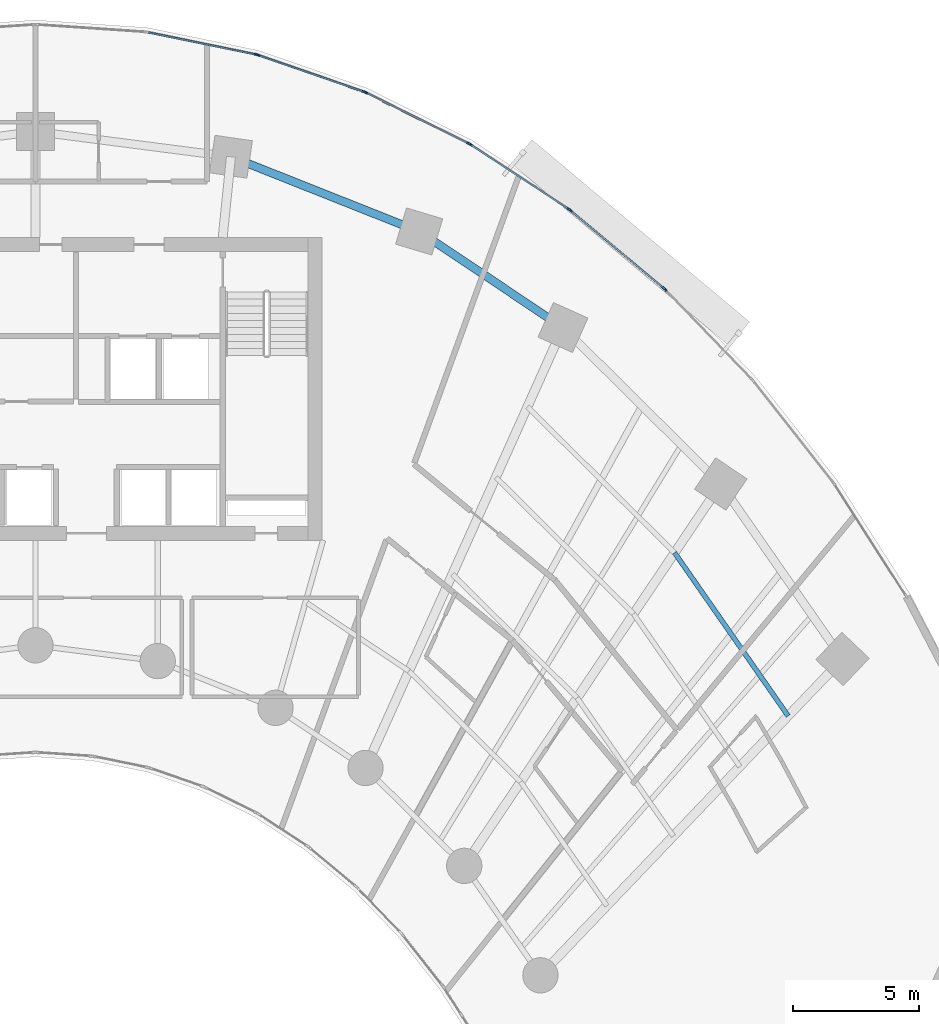
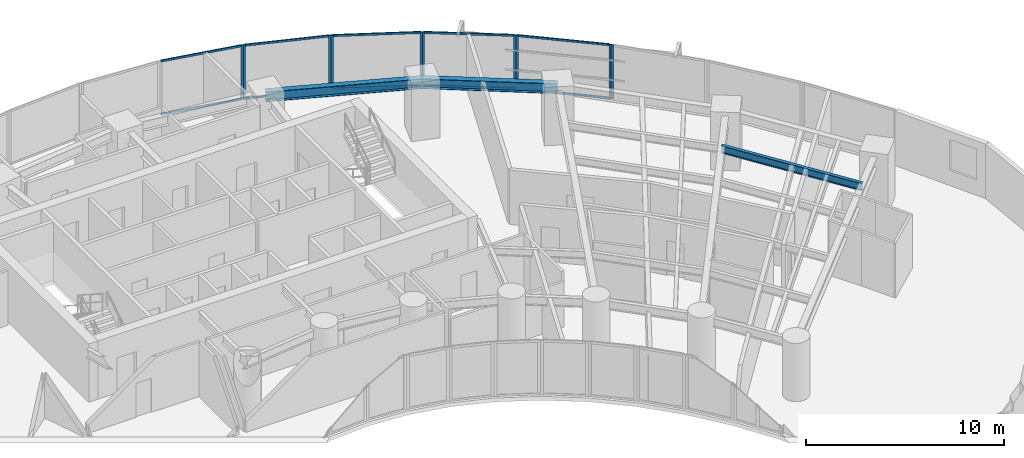
# One storey, part 7 of 17: 20 members, 3 beams, 6 elements without a shape of their own.
"""IFC4 building model written with IfcOpenShell, lengths in metres."""

from ifc_helpers import new_model, si_unit, direction, frame, origin, origin_2d, place, context, subcontext, project, spatial, rectangle, i_section, extrude, source, transform, mapped, material, layer, layer_set, material_profile, profile_set, type_object, type_shapes, element, aggregate, save


model = new_model("IFC4")

# Units and contexts
model_context = context("Model", 3, precision=1e-05, world=origin(), true_north=direction((0.0, 1.0)))
body_context = subcontext(model_context, "Body", "Model", "MODEL_VIEW")
ifc_project = project(units=[si_unit("LENGTHUNIT", "METRE"), si_unit("AREAUNIT", "SQUARE_METRE"), si_unit("VOLUMEUNIT", "CUBIC_METRE"), si_unit("PLANEANGLEUNIT", "RADIAN"), si_unit("MASSUNIT", "GRAM", prefix="KILO")], contexts=[model_context])

# Site, building, storey
site_placement = place(None, origin())
site = spatial("IfcSite", under=ifc_project, at=site_placement, CompositionType="ELEMENT")
building_placement = place(site_placement, origin())
building = spatial("IfcBuilding", under=site, at=building_placement, Name="Breltana Convention Tower", CompositionType="ELEMENT")
storey_placement = place(building_placement, frame((0.0, 0.0, 71.39990234375)))
storey = spatial("IfcBuildingStorey", under=building, at=storey_placement, Name="L16", CompositionType="ELEMENT", Elevation=71.39990234375)

# Beams
ifc_material_1 = material(Name="Steel ASTM A992 Grade 50", Category="steel")
ifc_material_profile_1 = material_profile(ifc_material_1, i_section(OverallWidth=0.323974609375, OverallDepth=0.611083984375, WebThickness=0.0126953125, FlangeThickness=0.01904296875, at=origin_2d()), Name="W24X104")
ifc_profile_set_1 = profile_set([ifc_material_profile_1], Name="Steel ASTM A992 Grade 50")
beam_type_1 = type_object("IfcBeamType", Name="BM-SP-W24X104", PredefinedType="SPANDREL", material=ifc_profile_set_1)
shared_shape_1 = source(origin(), body_context, "Body", "SweptSolid", [
    extrude(i_section(OverallWidth=0.323974609375, OverallDepth=0.611083984375, WebThickness=0.0126953125, FlangeThickness=0.01904296875, at=origin_2d()), origin(), (0.0, 0.0, 1.0), 8.028564453125),
])
beam_1_placement = place(storey_placement, frame((55.746826171875, 75.404296875, 3.0546875), z_axis=(0.929459100394, -0.368925169507, 0.0), x_axis=(0.368925169507, 0.929459100394, 0.0)))
element("IfcBeam", 1, at=beam_1_placement, inside=storey, type_object=beam_type_1, Name="L16 Outer Spandrel Beam 07", PredefinedType="SPANDREL", context=body_context, shape_type="MappedRepresentation", body=[
    mapped(shared_shape_1, transform((0.0, 0.0, 0.0), scale=1.0)),
])
shared_shape_2 = source(origin(), body_context, "Body", "SweptSolid", [
    extrude(i_section(OverallWidth=0.323974609375, OverallDepth=0.611083984375, WebThickness=0.0126953125, FlangeThickness=0.01904296875, at=origin_2d()), origin(), (0.0, 0.0, 1.0), 6.856689453125),
])
beam_2_placement = place(storey_placement, frame((63.208984375, 72.4423828125, 3.0546875), z_axis=(0.83150210718, -0.55552159792, 0.0), x_axis=(0.55552159792, 0.83150210718, 0.0)))
element("IfcBeam", 2, at=beam_2_placement, inside=storey, type_object=beam_type_1, Name="L16 Outer Spandrel Beam 08", PredefinedType="SPANDREL", context=body_context, shape_type="MappedRepresentation", body=[
    mapped(shared_shape_2, transform((0.0, 0.0, 0.0), scale=1.0)),
])
ifc_material_profile_2 = material_profile(ifc_material_1, i_section(OverallWidth=0.19091796875, OverallDepth=0.4599609375, WebThickness=0.010009765625, FlangeThickness=0.01611328125, at=origin_2d()), Name="W18X55")
ifc_profile_set_2 = profile_set([ifc_material_profile_2], Name="Steel ASTM A992 Grade 50")
beam_type_2 = type_object("IfcBeamType", Name="BM-JSG-07", PredefinedType="JOIST", material=ifc_profile_set_2)
shared_shape_3 = source(origin(), body_context, "Body", "SweptSolid", [
    extrude(i_section(OverallWidth=0.19091796875, OverallDepth=0.4599609375, WebThickness=0.010009765625, FlangeThickness=0.01611328125, at=origin_2d()), origin(), (0.0, 0.0, 1.0), 7.88037109375),
])
beam_3_placement = place(storey_placement, frame((73.3359375, 59.70556640625, 3.130126953125), z_axis=(0.571197916304, -0.820812366141, 0.0), x_axis=(0.820812366141, 0.571197916304, 0.0)))
element("IfcBeam", 3, at=beam_3_placement, inside=storey, type_object=beam_type_2, Name="L16 Composite Floor Joist 10.4", PredefinedType="JOIST", context=body_context, shape_type="MappedRepresentation", body=[
    mapped(shared_shape_3, transform((0.0, 0.0, 0.0), scale=1.0)),
])

# Curtain wall, member
ifc_material_2 = material(Name="Aluminium Anodised Bronze Frame", Category="aluminium")
ifc_layer = layer(ifc_material_2, 0.199951171875, Name="Aluminium Anodised Bronze Frame")
ifc_layer_set = layer_set([ifc_layer], Name="Aluminium Anodised Bronze Frame")
curtain_wall_type = type_object("IfcCurtainWallType", Name="CW-SYS-2", PredefinedType="NOTDEFINED", material=ifc_layer_set)
curtain_wall_1_placement = place(storey_placement, origin())
curtain_wall_1 = element("IfcCurtainWall", 4, at=curtain_wall_1_placement, inside=storey, type_object=curtain_wall_type, Name="L16 outer double-skin inner glazing 11", PredefinedType="NOTDEFINED")
ifc_material_3 = material(Name="Aluminium Anodised Bronze", Category="aluminium")
ifc_material_profile_3 = material_profile(ifc_material_3, rectangle(XDim=0.070068359375, YDim=0.175048828125, at=origin_2d()), Name="CWM-70X175")
ifc_profile_set_3 = profile_set([ifc_material_profile_3], Name="Aluminium Anodised Bronze")
member_type_1 = type_object("IfcMemberType", Name="CWM-175", PredefinedType="MULLION", material=ifc_profile_set_3)
shared_shape_4 = source(origin(), body_context, "Body", "SweptSolid", [
    extrude(rectangle(XDim=0.070068359375, YDim=0.175048828125, at=origin_2d()), origin(), (0.0, 0.0, 1.0), 3.360107421875),
])
type_shapes(member_type_1, [shared_shape_4])
member_1_placement = place(storey_placement, frame((56.7451171875, 79.45751953125, 0.0), z_axis=(0.0, 0.0, 1.0), x_axis=(0.200884537139, 0.979614925743, 0.0)))
member_1 = element("IfcMember", 5, at=member_1_placement, type_object=member_type_1, Name="CW-02 mullion 2", PredefinedType="MULLION", context=body_context, shape_type="MappedRepresentation", body=[
    mapped(shared_shape_4, transform((0.0, 0.0, 0.0), scale=1.0)),
])

# Curtain wall, members
curtain_wall_2_placement = place(storey_placement, origin())
curtain_wall_2 = element("IfcCurtainWall", 6, at=curtain_wall_2_placement, inside=storey, type_object=curtain_wall_type, Name="L16 outer double-skin inner glazing 12", PredefinedType="NOTDEFINED")
member_2_placement = place(storey_placement, frame((56.8125, 79.43896484375, 0.0), z_axis=(0.0, 0.0, 1.0), x_axis=(0.32742834581, 0.944876012163, 0.0)))
member_2 = element("IfcMember", 7, at=member_2_placement, type_object=member_type_1, Name="CW-02 mullion 1", PredefinedType="MULLION", context=body_context, shape_type="MappedRepresentation", body=[
    mapped(shared_shape_4, transform((0.0, 0.0, 0.0), scale=1.0)),
])
member_3_placement = place(storey_placement, frame((61.025146484375, 77.979248046875, 0.0), z_axis=(0.0, 0.0, 1.0), x_axis=(0.32742834581, 0.944876012163, 0.0)))
member_3 = element("IfcMember", 8, at=member_3_placement, type_object=member_type_1, Name="CW-02 mullion 2", PredefinedType="MULLION", context=body_context, shape_type="MappedRepresentation", body=[
    mapped(shared_shape_4, transform((0.0, 0.0, 0.0), scale=1.0)),
])

curtain_wall_3_placement = place(storey_placement, origin())
curtain_wall_3 = element("IfcCurtainWall", 9, at=curtain_wall_3_placement, inside=storey, type_object=curtain_wall_type, Name="L16 outer double-skin inner glazing 13", PredefinedType="NOTDEFINED")
member_4_placement = place(storey_placement, frame((61.089599609375, 77.9521484375, 0.0), z_axis=(0.0, 0.0, 1.0), x_axis=(0.444107703726, 0.895973407804, 0.0)))
member_4 = element("IfcMember", 10, at=member_4_placement, type_object=member_type_1, Name="CW-02 mullion 1", PredefinedType="MULLION", context=body_context, shape_type="MappedRepresentation", body=[
    mapped(shared_shape_4, transform((0.0, 0.0, 0.0), scale=1.0)),
])
member_5_placement = place(storey_placement, frame((65.1728515625, 75.92822265625, 0.0), z_axis=(0.0, 0.0, 1.0), x_axis=(0.444107703726, 0.895973407804, 0.0)))
member_5 = element("IfcMember", 11, at=member_5_placement, type_object=member_type_1, Name="CW-02 mullion 2", PredefinedType="MULLION", context=body_context, shape_type="MappedRepresentation", body=[
    mapped(shared_shape_4, transform((0.0, 0.0, 0.0), scale=1.0)),
])

curtain_wall_4_placement = place(storey_placement, origin())
curtain_wall_4 = element("IfcCurtainWall", 12, at=curtain_wall_4_placement, inside=storey, type_object=curtain_wall_type, Name="L16 outer double-skin inner glazing 14", PredefinedType="NOTDEFINED")
member_6_placement = place(storey_placement, frame((65.233642578125, 75.8935546875, 0.0), z_axis=(0.0, 0.0, 1.0), x_axis=(0.548784255746, 0.83596401875, 0.0)))
member_6 = element("IfcMember", 13, at=member_6_placement, type_object=member_type_1, Name="CW-02 mullion 1", PredefinedType="MULLION", context=body_context, shape_type="MappedRepresentation", body=[
    mapped(shared_shape_4, transform((0.0, 0.0, 0.0), scale=1.0)),
])
member_7_placement = place(storey_placement, frame((69.146484375, 73.32470703125, 0.0), z_axis=(0.0, 0.0, 1.0), x_axis=(0.548784255746, 0.83596401875, 0.0)))
member_7 = element("IfcMember", 14, at=member_7_placement, type_object=member_type_1, Name="CW-02 mullion 2", PredefinedType="MULLION", context=body_context, shape_type="MappedRepresentation", body=[
    mapped(shared_shape_4, transform((0.0, 0.0, 0.0), scale=1.0)),
])

curtain_wall_5_placement = place(storey_placement, origin())
curtain_wall_5 = element("IfcCurtainWall", 15, at=curtain_wall_5_placement, inside=storey, type_object=curtain_wall_type, Name="L16 outer double-skin inner glazing 15", PredefinedType="NOTDEFINED")
member_8_placement = place(storey_placement, frame((69.20263671875, 73.283203125, 0.0), z_axis=(0.0, 0.0, 1.0), x_axis=(0.640520193554, 0.767941326958, 0.0)))
member_8 = element("IfcMember", 16, at=member_8_placement, type_object=member_type_1, Name="CW-02 mullion 1", PredefinedType="MULLION", context=body_context, shape_type="MappedRepresentation", body=[
    mapped(shared_shape_4, transform((0.0, 0.0, 0.0), scale=1.0)),
])
member_9_placement = place(storey_placement, frame((72.90478515625, 70.1953125, 0.0), z_axis=(0.0, 0.0, 1.0), x_axis=(0.640520193554, 0.767941326958, 0.0)))
member_9 = element("IfcMember", 17, at=member_9_placement, type_object=member_type_1, Name="CW-02 mullion 2", PredefinedType="MULLION", context=body_context, shape_type="MappedRepresentation", body=[
    mapped(shared_shape_4, transform((0.0, 0.0, 0.0), scale=1.0)),
])

# Curtain wall, member
curtain_wall_6_placement = place(storey_placement, origin())
curtain_wall_6 = element("IfcCurtainWall", 18, at=curtain_wall_6_placement, inside=storey, type_object=curtain_wall_type, Name="L16 outer double-skin inner glazing 16", PredefinedType="NOTDEFINED")
member_10_placement = place(storey_placement, frame((72.955810546875, 70.147705078125, 0.0), z_axis=(0.0, 0.0, 1.0), x_axis=(0.719386421003, 0.694610090106, 0.0)))
member_10 = element("IfcMember", 19, at=member_10_placement, type_object=member_type_1, Name="CW-02 mullion 1", PredefinedType="MULLION", context=body_context, shape_type="MappedRepresentation", body=[
    mapped(shared_shape_4, transform((0.0, 0.0, 0.0), scale=1.0)),
])
aggregate(curtain_wall_6, [member_10])

# Member
ifc_material_profile_4 = material_profile(ifc_material_3, rectangle(XDim=0.070068359375, YDim=0.1201171875, at=origin_2d()), Name="CWT-70X120")
ifc_profile_set_4 = profile_set([ifc_material_profile_4], Name="Aluminium Anodised Bronze")
member_type_2 = type_object("IfcMemberType", Name="CWT-120", PredefinedType="USERDEFINED", material=ifc_profile_set_4)
shared_shape_5 = source(origin(), body_context, "Body", "SweptSolid", [
    extrude(rectangle(XDim=0.070068359375, YDim=0.1201171875, at=origin_2d()), origin(), (0.0, 0.0, 1.0), 4.7509765625),
])
member_11_placement = place(storey_placement, frame((69.2294921875, 73.2607421875, 0.03515625), z_axis=(0.767951631807, -0.64050783852, 0.0), x_axis=(0.64050783852, 0.767951631807, 0.0)))
member_11 = element("IfcMember", 20, at=member_11_placement, type_object=member_type_2, Name="CW-02 transom 1.1", ObjectType="TRANSOM", PredefinedType="USERDEFINED", context=body_context, shape_type="MappedRepresentation", body=[
    mapped(shared_shape_5, transform((0.0, 0.0, 0.0), scale=1.0)),
])

member_12_placement = place(storey_placement, frame((69.2294921875, 73.2607421875, 3.3251953125), z_axis=(0.767951631807, -0.64050783852, 0.0), x_axis=(0.64050783852, 0.767951631807, 0.0)))
member_12 = element("IfcMember", 21, at=member_12_placement, type_object=member_type_2, Name="CW-02 transom 1.2", ObjectType="TRANSOM", PredefinedType="USERDEFINED", context=body_context, shape_type="MappedRepresentation", body=[
    mapped(shared_shape_5, transform((0.0, 0.0, 0.0), scale=1.0)),
])

aggregate(curtain_wall_5, [member_8, member_9, member_11, member_12])

shared_shape_6 = source(origin(), body_context, "Body", "SweptSolid", [
    extrude(rectangle(XDim=0.070068359375, YDim=0.1201171875, at=origin_2d()), origin(), (0.0, 0.0, 1.0), 4.610595703125),
])
member_13_placement = place(storey_placement, frame((65.262939453125, 75.874267578125, 0.03515625), z_axis=(0.835956055104, -0.54879638659, 0.0), x_axis=(0.54879638659, 0.835956055104, 0.0)))
member_13 = element("IfcMember", 22, at=member_13_placement, type_object=member_type_2, Name="CW-02 transom 1.1", ObjectType="TRANSOM", PredefinedType="USERDEFINED", context=body_context, shape_type="MappedRepresentation", body=[
    mapped(shared_shape_6, transform((0.0, 0.0, 0.0), scale=1.0)),
])

member_14_placement = place(storey_placement, frame((65.262939453125, 75.874267578125, 3.3251953125), z_axis=(0.835956055104, -0.54879638659, 0.0), x_axis=(0.54879638659, 0.835956055104, 0.0)))
member_14 = element("IfcMember", 23, at=member_14_placement, type_object=member_type_2, Name="CW-02 transom 1.2", ObjectType="TRANSOM", PredefinedType="USERDEFINED", context=body_context, shape_type="MappedRepresentation", body=[
    mapped(shared_shape_6, transform((0.0, 0.0, 0.0), scale=1.0)),
])

aggregate(curtain_wall_4, [member_6, member_7, member_13, member_14])

shared_shape_7 = source(origin(), body_context, "Body", "SweptSolid", [
    extrude(rectangle(XDim=0.070068359375, YDim=0.1201171875, at=origin_2d()), origin(), (0.0, 0.0, 1.0), 4.487548828125),
])
member_15_placement = place(storey_placement, frame((61.120849609375, 77.936767578125, 0.03515625), z_axis=(0.895977728863, -0.444098986017, 0.0), x_axis=(0.444098986017, 0.895977728863, 0.0)))
member_15 = element("IfcMember", 24, at=member_15_placement, type_object=member_type_2, Name="CW-02 transom 1.1", ObjectType="TRANSOM", PredefinedType="USERDEFINED", context=body_context, shape_type="MappedRepresentation", body=[
    mapped(shared_shape_7, transform((0.0, 0.0, 0.0), scale=1.0)),
])

member_16_placement = place(storey_placement, frame((61.120849609375, 77.936767578125, 3.3251953125), z_axis=(0.895977728863, -0.444098986017, 0.0), x_axis=(0.444098986017, 0.895977728863, 0.0)))
member_16 = element("IfcMember", 25, at=member_16_placement, type_object=member_type_2, Name="CW-02 transom 1.2", ObjectType="TRANSOM", PredefinedType="USERDEFINED", context=body_context, shape_type="MappedRepresentation", body=[
    mapped(shared_shape_7, transform((0.0, 0.0, 0.0), scale=1.0)),
])

aggregate(curtain_wall_3, [member_4, member_5, member_15, member_16])

shared_shape_8 = source(origin(), body_context, "Body", "SweptSolid", [
    extrude(rectangle(XDim=0.070068359375, YDim=0.1201171875, at=origin_2d()), origin(), (0.0, 0.0, 1.0), 4.38818359375),
])
member_17_placement = place(storey_placement, frame((56.845703125, 79.427490234375, 0.03515625), z_axis=(0.944878203019, -0.32742202348, 0.0), x_axis=(0.32742202348, 0.944878203019, 0.0)))
member_17 = element("IfcMember", 26, at=member_17_placement, type_object=member_type_2, Name="CW-02 transom 1.1", ObjectType="TRANSOM", PredefinedType="USERDEFINED", context=body_context, shape_type="MappedRepresentation", body=[
    mapped(shared_shape_8, transform((0.0, 0.0, 0.0), scale=1.0)),
])

member_18_placement = place(storey_placement, frame((56.845703125, 79.427490234375, 3.3251953125), z_axis=(0.944878203019, -0.32742202348, 0.0), x_axis=(0.32742202348, 0.944878203019, 0.0)))
member_18 = element("IfcMember", 27, at=member_18_placement, type_object=member_type_2, Name="CW-02 transom 1.2", ObjectType="TRANSOM", PredefinedType="USERDEFINED", context=body_context, shape_type="MappedRepresentation", body=[
    mapped(shared_shape_8, transform((0.0, 0.0, 0.0), scale=1.0)),
])

aggregate(curtain_wall_2, [member_2, member_3, member_17, member_18])

shared_shape_9 = source(origin(), body_context, "Body", "SweptSolid", [
    extrude(rectangle(XDim=0.070068359375, YDim=0.1201171875, at=origin_2d()), origin(), (0.0, 0.0, 1.0), 4.318359375),
])
member_19_placement = place(storey_placement, frame((52.480712890625, 80.33203125, 0.03515625), z_axis=(0.979616680923, -0.200875977799, 0.0), x_axis=(0.200875977799, 0.979616680923, 0.0)))
member_19 = element("IfcMember", 28, at=member_19_placement, type_object=member_type_2, Name="CW-02 transom 1.1", ObjectType="TRANSOM", PredefinedType="USERDEFINED", context=body_context, shape_type="MappedRepresentation", body=[
    mapped(shared_shape_9, transform((0.0, 0.0, 0.0), scale=1.0)),
])

member_20_placement = place(storey_placement, frame((52.480712890625, 80.33203125, 3.3251953125), z_axis=(0.979616680923, -0.200875977799, 0.0), x_axis=(0.200875977799, 0.979616680923, 0.0)))
member_20 = element("IfcMember", 29, at=member_20_placement, type_object=member_type_2, Name="CW-02 transom 1.2", ObjectType="TRANSOM", PredefinedType="USERDEFINED", context=body_context, shape_type="MappedRepresentation", body=[
    mapped(shared_shape_9, transform((0.0, 0.0, 0.0), scale=1.0)),
])

aggregate(curtain_wall_1, [member_1, member_19, member_20])

save(model, "model.ifc")
